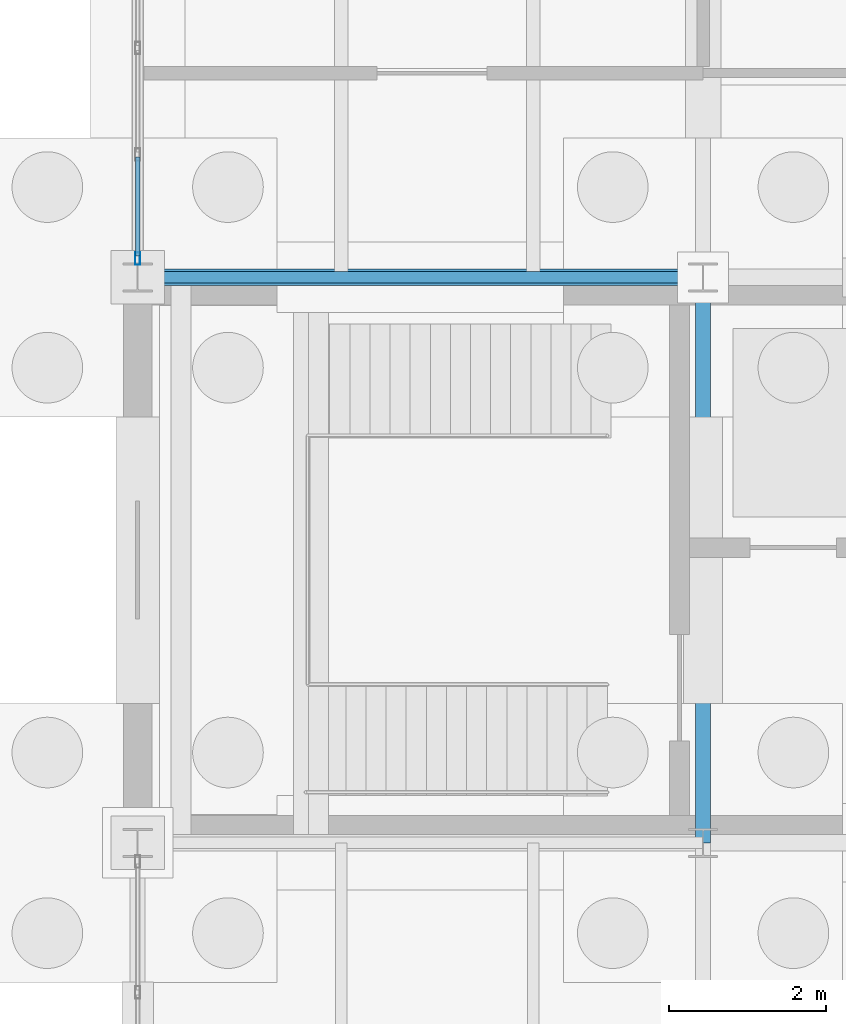
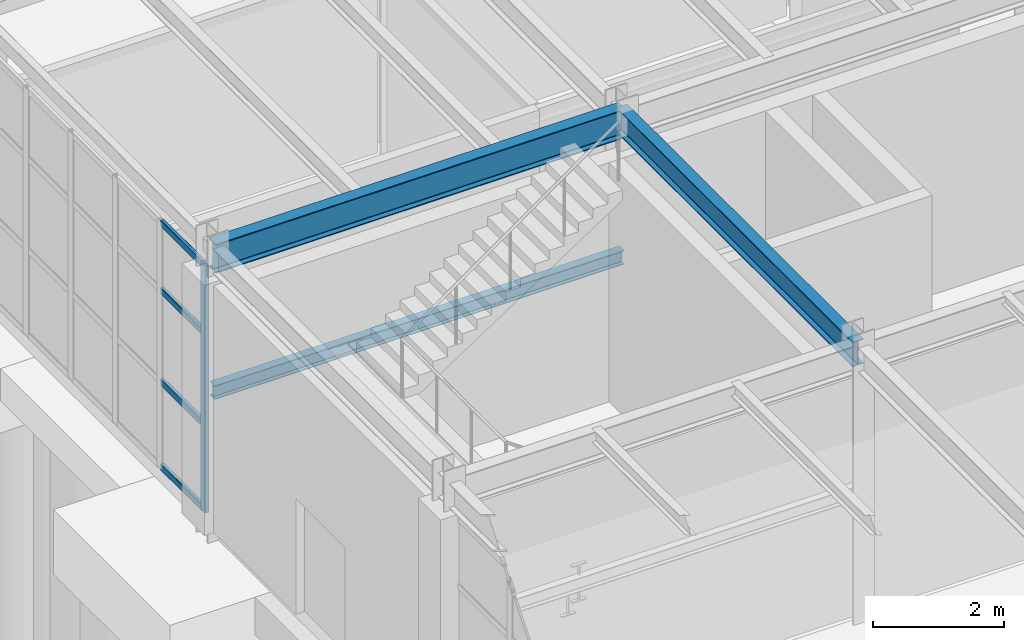
# One storey, part 46 of 293: 5 members, 3 beams, 1 element without a shape of its own.
"""IFC4 building model written with IfcOpenShell, lengths in metres."""

from ifc_helpers import new_model, si_unit, direction, frame, origin, origin_2d, place, context, subcontext, project, spatial, hollow_rectangle, i_section, extrude, material, layer, layer_set, material_profile, profile_set, type_object, element, aggregate, save


model = new_model("IFC4")

# Units and contexts
model_context = context("Model", 3, precision=1e-05, world=origin(), true_north=direction((0.0, 1.0)))
body_context = subcontext(model_context, "Body", "Model", "MODEL_VIEW")
ifc_project = project(units=[si_unit("LENGTHUNIT", "METRE"), si_unit("AREAUNIT", "SQUARE_METRE"), si_unit("VOLUMEUNIT", "CUBIC_METRE"), si_unit("PLANEANGLEUNIT", "RADIAN"), si_unit("MASSUNIT", "GRAM", prefix="KILO")], contexts=[model_context])

# Site, building, storey
site_placement = place(None, origin())
site = spatial("IfcSite", under=ifc_project, at=site_placement, CompositionType="ELEMENT")
building_placement = place(site_placement, origin())
building = spatial("IfcBuilding", under=site, at=building_placement, Name="Kemerveld Promenade Tramway Depot", CompositionType="ELEMENT")
storey_placement = place(building_placement, origin())
storey = spatial("IfcBuildingStorey", under=building, at=storey_placement, Name="L00", CompositionType="ELEMENT", Elevation=0.0)

# Beams
ifc_material_1 = material(Name="Steel S355", Category="steel")
ifc_material_profile_1 = material_profile(ifc_material_1, i_section(OverallWidth=0.2099609375, OverallDepth=0.53662109375, WebThickness=0.0107421875, FlangeThickness=0.017333984375, FilletRadius=0.0126953125, at=origin_2d()), Name="533x210x101 UB")
ifc_profile_set_1 = profile_set([ifc_material_profile_1], Name="Steel S355")
beam_type_1 = type_object("IfcBeamType", Name="BM-G05", PredefinedType="BEAM", material=ifc_profile_set_1)
beam_1_placement = place(storey_placement, frame((0.0, 21.60009765625, 4.881591796875), z_axis=(1.0, 0.0, 0.0), x_axis=(0.0, 1.0, 0.0)))
element("IfcBeam", 1, at=beam_1_placement, inside=storey, type_object=beam_type_1, Name="BMX-L00-01-02-D", PredefinedType="BEAM", context=body_context, shape_type="SweptSolid", body=[
    extrude(i_section(OverallWidth=0.2099609375, OverallDepth=0.53662109375, WebThickness=0.0107421875, FlangeThickness=0.017333984375, FilletRadius=0.0126953125, at=origin_2d()), origin(), (0.0, 0.0, 1.0), 7.199951171875),
])
ifc_material_profile_2 = material_profile(ifc_material_1, i_section(OverallWidth=0.19140625, OverallDepth=0.4599609375, WebThickness=0.010009765625, FlangeThickness=0.01611328125, FilletRadius=0.01025390625, at=origin_2d()), Name="457x191x82 UB")
ifc_profile_set_2 = profile_set([ifc_material_profile_2], Name="Steel S355")
beam_type_2 = type_object("IfcBeamType", Name="BM-G06", PredefinedType="BEAM", material=ifc_profile_set_2)
beam_2_placement = place(storey_placement, frame((7.199951171875, 14.39990234375, 4.919921875), z_axis=(0.0, 1.0, 0.0), x_axis=(-1.0, 0.0, 0.0)))
element("IfcBeam", 2, at=beam_2_placement, inside=storey, type_object=beam_type_2, Name="BMY-L00-02-C-D", PredefinedType="BEAM", context=body_context, shape_type="SweptSolid", body=[
    extrude(i_section(OverallWidth=0.19140625, OverallDepth=0.4599609375, WebThickness=0.010009765625, FlangeThickness=0.01611328125, FilletRadius=0.01025390625, at=origin_2d()), origin(), (0.0, 0.0, 1.0), 7.2001953125),
])
ifc_material_profile_3 = material_profile(ifc_material_1, i_section(OverallWidth=0.146484375, OverallDepth=0.256103515625, WebThickness=0.00634765625, FlangeThickness=0.010986328125, FilletRadius=0.007568359375, at=origin_2d()), Name="254x146x37 UB")
ifc_profile_set_3 = profile_set([ifc_material_profile_3], Name="Steel S355")
beam_type_3 = type_object("IfcBeamType", Name="BM-J02", PredefinedType="JOIST", material=ifc_profile_set_3)
beam_3_placement = place(storey_placement, frame((0.0, 21.60009765625, 2.3720703125), z_axis=(1.0, 0.0, 0.0), x_axis=(0.0, 1.0, 0.0)))
element("IfcBeam", 3, at=beam_3_placement, inside=storey, type_object=beam_type_3, Name="BM-HLY-ST-01-L00-N", PredefinedType="JOIST", context=body_context, shape_type="SweptSolid", body=[
    extrude(i_section(OverallWidth=0.146484375, OverallDepth=0.256103515625, WebThickness=0.00634765625, FlangeThickness=0.010986328125, FilletRadius=0.007568359375, at=origin_2d()), origin(), (0.0, 0.0, 1.0), 7.199951171875),
])

# Curtain wall, members
ifc_material_2 = material(Name="Bronze anodised aluminium and solar glass", Category="aluminium")
ifc_layer = layer(ifc_material_2, 0.159912109375)
ifc_layer_set = layer_set([ifc_layer], Name="CW-SYS-07")
curtain_wall_type = type_object("IfcCurtainWallType", Name="CW-SYS-07", PredefinedType="USERDEFINED", material=ifc_layer_set)
curtain_wall_placement = place(storey_placement, origin())
curtain_wall = element("IfcCurtainWall", 4, at=curtain_wall_placement, inside=storey, type_object=curtain_wall_type, Name="CW-L00-V5W-04", ObjectType="GLAZED_CURTAIN_WALL", PredefinedType="USERDEFINED")
ifc_material_3 = material(Name="Bronze anodised aluminium", Category="aluminium")
ifc_material_profile_4 = material_profile(ifc_material_3, hollow_rectangle(XDim=0.06494140625, YDim=0.159912109375, WallThickness=0.00390625, InnerFilletRadius=0.001953125, OuterFilletRadius=0.00390625, at=origin_2d()), Name="CW-MUL-160x65")
ifc_profile_set_4 = profile_set([ifc_material_profile_4], Name="Bronze anodised aluminium")
member_type_1 = type_object("IfcMemberType", Name="CW-MUL-A", PredefinedType="MULLION", material=ifc_profile_set_4)
member_1_placement = place(storey_placement, frame((0.0, 21.8388671875, 0.0), z_axis=(0.0, 0.0, 1.0), x_axis=(-1.0, 0.0, 0.0)))
member_1 = element("IfcMember", 5, at=member_1_placement, type_object=member_type_1, Name="CW07 mullion 1", PredefinedType="MULLION", context=body_context, shape_type="SweptSolid", body=[
    extrude(hollow_rectangle(XDim=0.06494140625, YDim=0.159912109375, WallThickness=0.00390625, InnerFilletRadius=0.001953125, OuterFilletRadius=0.00390625, at=origin_2d()), origin(), (0.0, 0.0, 1.0), 4.593505859375),
])
ifc_material_profile_5 = material_profile(ifc_material_3, hollow_rectangle(XDim=0.06005859375, YDim=0.1201171875, WallThickness=0.00390625, InnerFilletRadius=0.001953125, OuterFilletRadius=0.00390625, at=origin_2d()), Name="CW-TRN-120x60")
ifc_profile_set_5 = profile_set([ifc_material_profile_5], Name="Bronze anodised aluminium")
member_type_2 = type_object("IfcMemberType", Name="CW-TRN-A", PredefinedType="USERDEFINED", material=ifc_profile_set_5)
member_2_placement = place(storey_placement, frame((0.0, 21.871337890625, 0.030029296875), z_axis=(0.0, 1.0, 0.0), x_axis=(-1.0, 0.0, 0.0)))
member_2 = element("IfcMember", 6, at=member_2_placement, type_object=member_type_2, Name="CW07 transom 1.1", ObjectType="TRANSOM", PredefinedType="USERDEFINED", context=body_context, shape_type="SweptSolid", body=[
    extrude(hollow_rectangle(XDim=0.06005859375, YDim=0.1201171875, WallThickness=0.00390625, InnerFilletRadius=0.001953125, OuterFilletRadius=0.00390625, at=origin_2d()), origin(), (0.0, 0.0, 1.0), 1.260009765625),
])
member_3_placement = place(storey_placement, frame((0.0, 21.871337890625, 1.60791015625), z_axis=(0.0, 1.0, 0.0), x_axis=(-1.0, 0.0, 0.0)))
member_3 = element("IfcMember", 7, at=member_3_placement, type_object=member_type_2, Name="CW07 transom 1.2", ObjectType="TRANSOM", PredefinedType="USERDEFINED", context=body_context, shape_type="SweptSolid", body=[
    extrude(hollow_rectangle(XDim=0.06005859375, YDim=0.1201171875, WallThickness=0.00390625, InnerFilletRadius=0.001953125, OuterFilletRadius=0.00390625, at=origin_2d()), origin(), (0.0, 0.0, 1.0), 1.260009765625),
])
member_4_placement = place(storey_placement, frame((0.0, 21.871337890625, 3.306884765625), z_axis=(0.0, 1.0, 0.0), x_axis=(-1.0, 0.0, 0.0)))
member_4 = element("IfcMember", 8, at=member_4_placement, type_object=member_type_2, Name="CW07 transom 1.3", ObjectType="TRANSOM", PredefinedType="USERDEFINED", context=body_context, shape_type="SweptSolid", body=[
    extrude(hollow_rectangle(XDim=0.06005859375, YDim=0.1201171875, WallThickness=0.00390625, InnerFilletRadius=0.001953125, OuterFilletRadius=0.00390625, at=origin_2d()), origin(), (0.0, 0.0, 1.0), 1.260009765625),
])
member_5_placement = place(storey_placement, frame((0.0, 21.871337890625, 4.5634765625), z_axis=(0.0, 1.0, 0.0), x_axis=(-1.0, 0.0, 0.0)))
member_5 = element("IfcMember", 9, at=member_5_placement, type_object=member_type_2, Name="CW07 transom 1.4", ObjectType="TRANSOM", PredefinedType="USERDEFINED", context=body_context, shape_type="SweptSolid", body=[
    extrude(hollow_rectangle(XDim=0.06005859375, YDim=0.1201171875, WallThickness=0.00390625, InnerFilletRadius=0.001953125, OuterFilletRadius=0.00390625, at=origin_2d()), origin(), (0.0, 0.0, 1.0), 1.260009765625),
])
aggregate(curtain_wall, [member_1, member_2, member_3, member_4, member_5])

save(model, "model.ifc")
